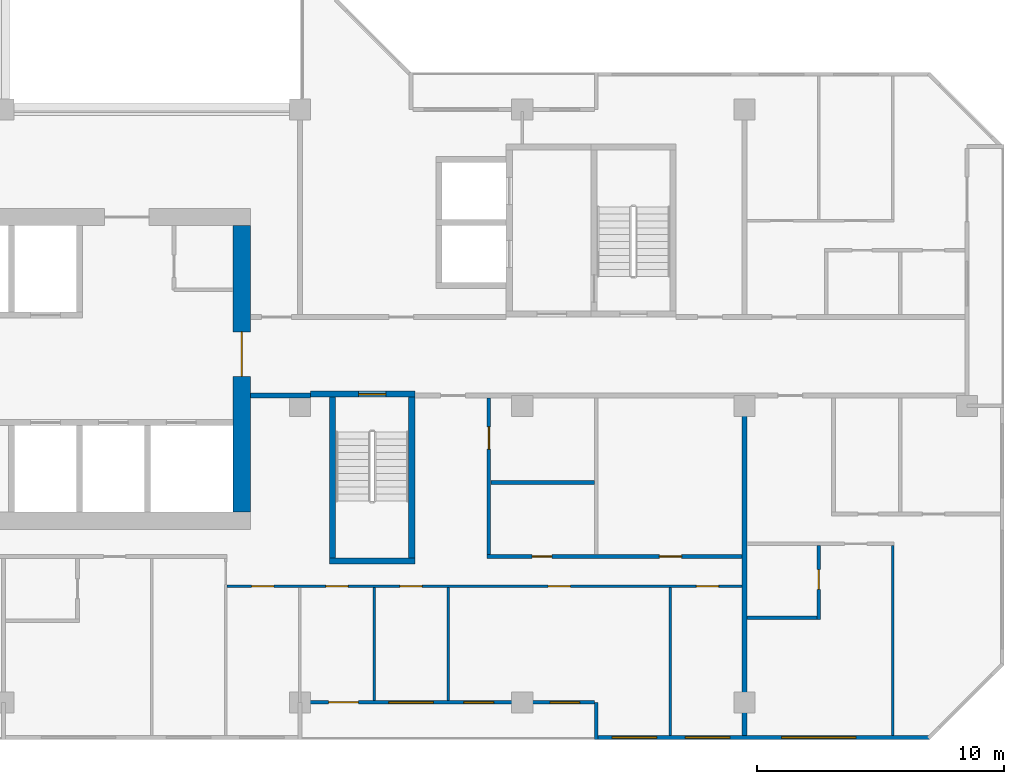
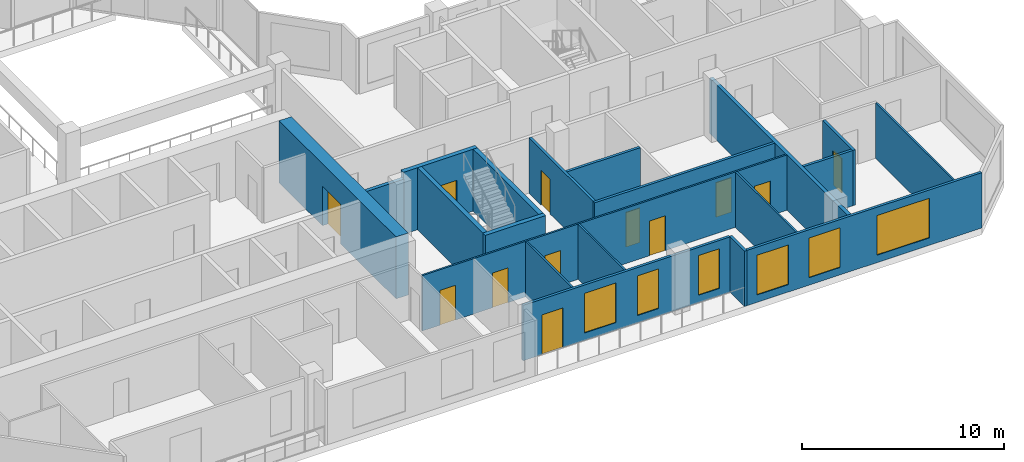
# One storey, part 6 of 14: 20 walls, 12 doors, 6 windows, 18 openings.
"""IFC4 building model written with IfcOpenShell, lengths in metres."""

from ifc_helpers import new_model, si_unit, direction, frame, frame_2d, origin, place, context, subcontext, project, spatial, rectangle, extrude, material, layer, layer_set, type_object, element, fill, save


model = new_model("IFC4")

# Units and contexts
model_context = context("Model", 3, precision=1e-05, world=origin(), true_north=direction((0.0, 1.0)))
body_context = subcontext(model_context, "Body", "Model", "MODEL_VIEW")
ifc_project = project(units=[si_unit("LENGTHUNIT", "METRE"), si_unit("AREAUNIT", "SQUARE_METRE"), si_unit("VOLUMEUNIT", "CUBIC_METRE"), si_unit("PLANEANGLEUNIT", "RADIAN"), si_unit("MASSUNIT", "GRAM", prefix="KILO")], contexts=[model_context])

# Site, building, storey
site_placement = place(None, origin())
site = spatial("IfcSite", under=ifc_project, at=site_placement, CompositionType="ELEMENT")
building_placement = place(site_placement, origin())
building = spatial("IfcBuilding", under=site, at=building_placement, Name="Chenar Terraces", CompositionType="ELEMENT")
storey_placement = place(building_placement, frame((0.0, 0.0, 230.39990234375)))
storey = spatial("IfcBuildingStorey", under=building, at=storey_placement, Name="L54", CompositionType="ELEMENT", Elevation=230.39990234375)

# Wall
ifc_material_1 = material(Name="Concrete C60/75", Category="concrete")
ifc_layer_1 = layer(ifc_material_1, 0.25)
ifc_layer_set_1 = layer_set([ifc_layer_1], Name="Concrete C60/75")
wall_type_1 = type_object("IfcWallType", Name="Core wall 250 Concrete C60/75", PredefinedType="SHEAR", material=ifc_layer_set_1)
wall_1_placement = place(storey_placement, frame((37.199951171875, 5.72509765625, 0.0), z_axis=(0.0, 0.0, 1.0), x_axis=(1.0, 0.0, 0.0)))
element("IfcWall", 1, at=wall_1_placement, inside=storey, type_object=wall_type_1, Name="Core wall ST2_S L54", PredefinedType="SHEAR", context=body_context, shape_type="SweptSolid", body=[
    extrude(rectangle(XDim=3.449951171875, YDim=0.25, at=frame_2d((1.72509765625, 0.0))), origin(), (0.0, 0.0, 1.0), 3.75),
])

# Wall, opening, door
wall_2_placement = place(storey_placement, frame((36.425048828125, 12.47509765625, 0.0), z_axis=(0.0, 0.0, 1.0), x_axis=(1.0, 0.0, 0.0)))
wall_2 = element("IfcWall", 2, at=wall_2_placement, inside=storey, type_object=wall_type_1, Name="Core wall ST2_N L54", PredefinedType="SHEAR", context=body_context, shape_type="SweptSolid", body=[
    extrude(rectangle(XDim=4.224853515625, YDim=0.25, at=frame_2d((2.1123046875, 0.0))), origin(), (0.0, 0.0, 1.0), 3.75),
])
opening_1_placement = place(wall_2_placement, frame((1.949951171875, 0.0, 0.0)))
opening_1 = element("IfcOpeningElement", 3, at=opening_1_placement, cuts=wall_2, Name="Opening DL54-C7", PredefinedType="OPENING", context=body_context, shape_type="SweptSolid", body=[
    extrude(rectangle(XDim=1.10009765625, YDim=2.199951171875, at=frame_2d((0.550048828125, 1.10009765625))), frame((0.0, 0.135009765625, 0.0), z_axis=(0.0, -1.0, 0.0), x_axis=(1.0, 0.0, 0.0)), (0.0, 0.0, 1.0), 0.27001953125),
])
ifc_material_2 = material(Name="Steel-framed fire-resisting door leaf", Category="steel")
door_type_1 = type_object("IfcDoorType", Name="Stair fire door FD60 1100 x 2200", OperationType="SINGLE_SWING_LEFT", PredefinedType="DOOR", material=ifc_material_2)
door_1_placement = place(opening_1_placement, frame((1.10009765625, 0.0, 0.0), z_axis=(0.0, 0.0, 1.0), x_axis=(-1.0, 0.0, 0.0)))
door_1 = element("IfcDoor", 4, at=door_1_placement, inside=storey, type_object=door_type_1, Name="Stair door DL54-C7", OperationType="SINGLE_SWING_LEFT", OverallHeight=2.199951171875, OverallWidth=1.10009765625, PredefinedType="DOOR", context=body_context, shape_type="SweptSolid", body=[
    extrude(rectangle(XDim=1.10009765625, YDim=2.199951171875, at=frame_2d((0.550048828125, 1.10009765625))), frame((0.0, 0.02490234375, 0.0), z_axis=(0.0, -1.0, 0.0), x_axis=(1.0, 0.0, 0.0)), (0.0, 0.0, 1.0), 0.050048828125),
])
fill(opening_1, door_1)

# Walls
for number, where, z_axis, x_axis, name in (
    (5, (37.324951171875, 5.85009765625, 0.0), (0.0, 0.0, 1.0), (0.0, 1.0, 0.0), "Core wall ST2_W L54"),
    (6, (40.52490234375, 5.85009765625, 0.0), (0.0, 0.0, 1.0), (0.0, 1.0, 0.0), "Core wall ST2_E L54"),
):
    element("IfcWall", number, at=place(storey_placement, frame(where, z_axis=z_axis, x_axis=x_axis)), inside=storey, type_object=wall_type_1, Name=name, PredefinedType="SHEAR", context=body_context, shape_type="SweptSolid", body=[
        extrude(rectangle(XDim=6.5, YDim=0.25, at=frame_2d((3.25, 0.0))), origin(), (0.0, 0.0, 1.0), 3.75),
    ])

# Wall, opening, door
ifc_material_3 = material(Name="Concrete C60/75", Category="concrete")
ifc_layer_2 = layer(ifc_material_3, 0.699951171875)
ifc_layer_set_2 = layer_set([ifc_layer_2], Name="Concrete C60/75")
wall_type_2 = type_object("IfcWallType", Name="Core wall 700 Concrete C60/75", PredefinedType="SHEAR", material=ifc_layer_set_2)
wall_3_placement = place(storey_placement, frame((33.64990234375, 7.699951171875, 0.0), z_axis=(0.0, 0.0, 1.0), x_axis=(0.0, 1.0, 0.0)))
wall_3 = element("IfcWall", 7, at=wall_3_placement, inside=storey, type_object=wall_type_2, Name="Core wall E L54", PredefinedType="SHEAR", context=body_context, shape_type="SweptSolid", body=[
    extrude(rectangle(XDim=11.60009765625, YDim=0.699951171875, at=frame_2d((5.800048828125, 0.0))), origin(), (0.0, 0.0, 1.0), 3.75),
])
opening_2_placement = place(wall_3_placement, frame((5.5, 0.0, 0.0)))
opening_2 = element("IfcOpeningElement", 8, at=opening_2_placement, cuts=wall_3, Name="Opening DL54-C1", PredefinedType="OPENING", context=body_context, shape_type="SweptSolid", body=[
    extrude(rectangle(XDim=1.800048828125, YDim=2.39990234375, at=frame_2d((0.89990234375, 1.199951171875))), frame((0.0, 0.35986328125, 0.0), z_axis=(0.0, -1.0, 0.0), x_axis=(1.0, 0.0, 0.0)), (0.0, 0.0, 1.0), 0.719970703125),
])
ifc_material_4 = material(Name="Steel-framed fire-resisting door leaf", Category="steel")
door_type_2 = type_object("IfcDoorType", Name="Core entrance double fire door FD60 1800 x 2400", OperationType="DOUBLE_DOOR_SINGLE_SWING", PredefinedType="DOOR", material=ifc_material_4)
door_2_placement = place(opening_2_placement, origin())
door_2 = element("IfcDoor", 9, at=door_2_placement, inside=storey, type_object=door_type_2, Name="Core door DL54-C1", OperationType="DOUBLE_DOOR_SINGLE_SWING", OverallHeight=2.39990234375, OverallWidth=1.800048828125, PredefinedType="DOOR", context=body_context, shape_type="SweptSolid", body=[
    extrude(rectangle(XDim=1.800048828125, YDim=2.39990234375, at=frame_2d((0.89990234375, 1.199951171875))), frame((0.0, 0.02490234375, 0.0), z_axis=(0.0, -1.0, 0.0), x_axis=(1.0, 0.0, 0.0)), (0.0, 0.0, 1.0), 0.050048828125),
])
fill(opening_2, door_2)

# Wall
ifc_material_5 = material(Name="Gypsum board on steel studs with fire boards", Category="steel")
ifc_layer_3 = layer(ifc_material_5, 0.199951171875)
ifc_layer_set_3 = layer_set([ifc_layer_3], Name="Gypsum board on steel studs with fire boards")
wall_type_3 = type_object("IfcWallType", Name="Corridor wall 200", PredefinedType="PARTITIONING", material=ifc_layer_set_3)
wall_4_placement = place(storey_placement, frame((34.0, 12.425048828125, 0.0), z_axis=(0.0, 0.0, 1.0), x_axis=(1.0, 0.0, 0.0)))
element("IfcWall", 10, at=wall_4_placement, inside=storey, type_object=wall_type_3, Name="Partition L54-058", PredefinedType="PARTITIONING", context=body_context, shape_type="SweptSolid", body=[
    extrude(rectangle(XDim=2.426025390625, YDim=0.199951171875, at=frame_2d((1.212890625, 0.0))), origin(), (0.0, 0.0, 1.0), 3.35009765625),
])

# Wall, openings, windows
ifc_material_6 = material(Name="Aluminium framed glazing", Category="aluminium")
ifc_layer_4 = layer(ifc_material_6, 0.14990234375)
ifc_layer_set_4 = layer_set([ifc_layer_4], Name="Aluminium framed glazing")
wall_type_4 = type_object("IfcWallType", Name="Glazed flush facade wall 150", PredefinedType="SOLIDWALL", material=ifc_layer_set_4)
wall_5_placement = place(storey_placement, frame((48.074951171875, -1.425048828125, 0.0), z_axis=(0.0, 0.0, 1.0), x_axis=(1.0, 0.0, 0.0)))
wall_5 = element("IfcWall", 11, at=wall_5_placement, inside=storey, type_object=wall_type_4, Name="Glazed flush facade wall", PredefinedType="SOLIDWALL", context=body_context, shape_type="SweptSolid", body=[
    extrude(rectangle(XDim=13.425048828125, YDim=0.14990234375, at=frame_2d((6.71240234375, 0.0))), origin(), (0.0, 0.0, 1.0), 3.35009765625),
])
opening_3_placement = place(wall_5_placement, frame((0.5625, 0.0, 0.449951171875)))
opening_3 = element("IfcOpeningElement", 12, at=opening_3_placement, cuts=wall_5, Name="Opening W180x240", PredefinedType="OPENING", context=body_context, shape_type="SweptSolid", body=[
    extrude(rectangle(XDim=1.800048828125, YDim=2.39990234375, at=frame_2d((0.89990234375, 1.199951171875))), frame((0.0, 0.0849609375, 0.0), z_axis=(0.0, -1.0, 0.0), x_axis=(1.0, 0.0, 0.0)), (0.0, 0.0, 1.0), 0.169921875),
])
opening_4_placement = place(wall_5_placement, frame((3.52490234375, 0.0, 0.449951171875)))
opening_4 = element("IfcOpeningElement", 13, at=opening_4_placement, cuts=wall_5, Name="Opening W180x240", PredefinedType="OPENING", context=body_context, shape_type="SweptSolid", body=[
    extrude(rectangle(XDim=1.800048828125, YDim=2.39990234375, at=frame_2d((0.89990234375, 1.199951171875))), frame((0.0, 0.0849609375, 0.0), z_axis=(0.0, -1.0, 0.0), x_axis=(1.0, 0.0, 0.0)), (0.0, 0.0, 1.0), 0.169921875),
])
opening_5_placement = place(wall_5_placement, frame((7.425048828125, 0.0, 0.449951171875)))
opening_5 = element("IfcOpeningElement", 14, at=opening_5_placement, cuts=wall_5, Name="Opening W300x240", PredefinedType="OPENING", context=body_context, shape_type="SweptSolid", body=[
    extrude(rectangle(XDim=3.0, YDim=2.39990234375, at=frame_2d((1.5, 1.199951171875))), frame((0.0, 0.0849609375, 0.0), z_axis=(0.0, -1.0, 0.0), x_axis=(1.0, 0.0, 0.0)), (0.0, 0.0, 1.0), 0.169921875),
])
ifc_material_7 = material(Name="Low emissivity double glazing, aluminium frame", Category="aluminium")
window_type_1 = type_object("IfcWindowType", Name="Fixed light 1800 x 2400", PartitioningType="SINGLE_PANEL", PredefinedType="WINDOW", material=ifc_material_7)
window_1_placement = place(opening_3_placement, origin())
window_1 = element("IfcWindow", 15, at=window_1_placement, inside=storey, type_object=window_type_1, Name="Window", OverallHeight=2.39990234375, OverallWidth=1.800048828125, PartitioningType="SINGLE_PANEL", PredefinedType="WINDOW", context=body_context, shape_type="SweptSolid", body=[
    extrude(rectangle(XDim=1.800048828125, YDim=2.39990234375, at=frame_2d((0.89990234375, 1.199951171875))), frame((0.0, 0.030029296875, 0.0), z_axis=(0.0, -1.0, 0.0), x_axis=(1.0, 0.0, 0.0)), (0.0, 0.0, 1.0), 0.06005859375),
])
fill(opening_3, window_1)
window_2_placement = place(opening_4_placement, origin())
window_2 = element("IfcWindow", 16, at=window_2_placement, inside=storey, type_object=window_type_1, Name="Window", OverallHeight=2.39990234375, OverallWidth=1.800048828125, PartitioningType="SINGLE_PANEL", PredefinedType="WINDOW", context=body_context, shape_type="SweptSolid", body=[
    extrude(rectangle(XDim=1.800048828125, YDim=2.39990234375, at=frame_2d((0.89990234375, 1.199951171875))), frame((0.0, 0.030029296875, 0.0), z_axis=(0.0, -1.0, 0.0), x_axis=(1.0, 0.0, 0.0)), (0.0, 0.0, 1.0), 0.06005859375),
])
fill(opening_4, window_2)
ifc_material_8 = material(Name="Low emissivity double glazing, aluminium frame", Category="aluminium")
window_type_2 = type_object("IfcWindowType", Name="Fixed light 3000 x 2400", PartitioningType="SINGLE_PANEL", PredefinedType="WINDOW", material=ifc_material_8)
window_3_placement = place(opening_5_placement, origin())
window_3 = element("IfcWindow", 17, at=window_3_placement, inside=storey, type_object=window_type_2, Name="Window", OverallHeight=2.39990234375, OverallWidth=3.0, PartitioningType="SINGLE_PANEL", PredefinedType="WINDOW", context=body_context, shape_type="SweptSolid", body=[
    extrude(rectangle(XDim=3.0, YDim=2.39990234375, at=frame_2d((1.5, 1.199951171875))), frame((0.0, 0.030029296875, 0.0), z_axis=(0.0, -1.0, 0.0), x_axis=(1.0, 0.0, 0.0)), (0.0, 0.0, 1.0), 0.06005859375),
])
fill(opening_5, window_3)

# Wall, openings, windows, door
ifc_material_9 = material(Name="Aluminium framed glazing", Category="aluminium")
ifc_layer_5 = layer(ifc_material_9, 0.14990234375)
ifc_layer_set_5 = layer_set([ifc_layer_5], Name="Aluminium framed glazing")
wall_type_5 = type_object("IfcWallType", Name="Glazed loggia back wall 150", PredefinedType="SOLIDWALL", material=ifc_layer_set_5)
wall_6_placement = place(storey_placement, frame((36.074951171875, 0.0, 0.0), z_axis=(0.0, 0.0, 1.0), x_axis=(1.0, 0.0, 0.0)))
wall_6 = element("IfcWall", 18, at=wall_6_placement, inside=storey, type_object=wall_type_5, Name="Glazed loggia back wall", PredefinedType="SOLIDWALL", context=body_context, shape_type="SweptSolid", body=[
    extrude(rectangle(XDim=11.85009765625, YDim=0.14990234375, at=frame_2d((5.925048828125, 0.0))), origin(), (0.0, 0.0, 1.0), 3.35009765625),
])
opening_6_placement = place(wall_6_placement, frame((1.08740234375, 0.0, 0.0)))
opening_6 = element("IfcOpeningElement", 19, at=opening_6_placement, cuts=wall_6, Name="Opening DL54-G6", PredefinedType="OPENING", context=body_context, shape_type="SweptSolid", body=[
    extrude(rectangle(XDim=1.199951171875, YDim=2.39990234375, at=frame_2d((0.60009765625, 1.199951171875))), frame((0.0, 0.0849609375, 0.0), z_axis=(0.0, -1.0, 0.0), x_axis=(1.0, 0.0, 0.0)), (0.0, 0.0, 1.0), 0.169921875),
])
opening_7_placement = place(wall_6_placement, frame((3.52490234375, 0.0, 0.449951171875)))
opening_7 = element("IfcOpeningElement", 20, at=opening_7_placement, cuts=wall_6, Name="Opening W180x240", PredefinedType="OPENING", context=body_context, shape_type="SweptSolid", body=[
    extrude(rectangle(XDim=1.800048828125, YDim=2.39990234375, at=frame_2d((0.89990234375, 1.199951171875))), frame((0.0, 0.0849609375, 0.0), z_axis=(0.0, -1.0, 0.0), x_axis=(1.0, 0.0, 0.0)), (0.0, 0.0, 1.0), 0.169921875),
])
opening_8_placement = place(wall_6_placement, frame((6.5625, 0.0, 0.449951171875)))
opening_8 = element("IfcOpeningElement", 21, at=opening_8_placement, cuts=wall_6, Name="Opening W120x240", PredefinedType="OPENING", context=body_context, shape_type="SweptSolid", body=[
    extrude(rectangle(XDim=1.199951171875, YDim=2.39990234375, at=frame_2d((0.60009765625, 1.199951171875))), frame((0.0, 0.0849609375, 0.0), z_axis=(0.0, -1.0, 0.0), x_axis=(1.0, 0.0, 0.0)), (0.0, 0.0, 1.0), 0.169921875),
])
opening_9_placement = place(wall_6_placement, frame((10.050048828125, 0.0, 0.449951171875)))
opening_9 = element("IfcOpeningElement", 22, at=opening_9_placement, cuts=wall_6, Name="Opening W120x240", PredefinedType="OPENING", context=body_context, shape_type="SweptSolid", body=[
    extrude(rectangle(XDim=1.199951171875, YDim=2.39990234375, at=frame_2d((0.60009765625, 1.199951171875))), frame((0.0, 0.0849609375, 0.0), z_axis=(0.0, -1.0, 0.0), x_axis=(1.0, 0.0, 0.0)), (0.0, 0.0, 1.0), 0.169921875),
])
ifc_material_10 = material(Name="Low emissivity double glazing, aluminium frame", Category="aluminium")
window_type_3 = type_object("IfcWindowType", Name="Fixed light 1200 x 2400", PartitioningType="SINGLE_PANEL", PredefinedType="WINDOW", material=ifc_material_10)
window_4_placement = place(opening_8_placement, origin())
window_4 = element("IfcWindow", 23, at=window_4_placement, inside=storey, type_object=window_type_3, Name="Window", OverallHeight=2.39990234375, OverallWidth=1.199951171875, PartitioningType="SINGLE_PANEL", PredefinedType="WINDOW", context=body_context, shape_type="SweptSolid", body=[
    extrude(rectangle(XDim=1.199951171875, YDim=2.39990234375, at=frame_2d((0.60009765625, 1.199951171875))), frame((0.0, 0.030029296875, 0.0), z_axis=(0.0, -1.0, 0.0), x_axis=(1.0, 0.0, 0.0)), (0.0, 0.0, 1.0), 0.06005859375),
])
fill(opening_8, window_4)
window_5_placement = place(opening_9_placement, origin())
window_5 = element("IfcWindow", 24, at=window_5_placement, inside=storey, type_object=window_type_3, Name="Window", OverallHeight=2.39990234375, OverallWidth=1.199951171875, PartitioningType="SINGLE_PANEL", PredefinedType="WINDOW", context=body_context, shape_type="SweptSolid", body=[
    extrude(rectangle(XDim=1.199951171875, YDim=2.39990234375, at=frame_2d((0.60009765625, 1.199951171875))), frame((0.0, 0.030029296875, 0.0), z_axis=(0.0, -1.0, 0.0), x_axis=(1.0, 0.0, 0.0)), (0.0, 0.0, 1.0), 0.06005859375),
])
fill(opening_9, window_5)
window_6_placement = place(opening_7_placement, origin())
window_6 = element("IfcWindow", 25, at=window_6_placement, inside=storey, type_object=window_type_1, Name="Window", OverallHeight=2.39990234375, OverallWidth=1.800048828125, PartitioningType="SINGLE_PANEL", PredefinedType="WINDOW", context=body_context, shape_type="SweptSolid", body=[
    extrude(rectangle(XDim=1.800048828125, YDim=2.39990234375, at=frame_2d((0.89990234375, 1.199951171875))), frame((0.0, 0.030029296875, 0.0), z_axis=(0.0, -1.0, 0.0), x_axis=(1.0, 0.0, 0.0)), (0.0, 0.0, 1.0), 0.06005859375),
])
fill(opening_7, window_6)
ifc_material_11 = material(Name="Low emissivity double glazing, aluminium frame", Category="aluminium")
door_type_3 = type_object("IfcDoorType", Name="Loggia glazed double door 1200 x 2400", OperationType="DOUBLE_DOOR_SINGLE_SWING", PredefinedType="DOOR", material=ifc_material_11)
door_3_placement = place(opening_6_placement, frame((1.199951171875, 0.0, 0.0), z_axis=(0.0, 0.0, 1.0), x_axis=(-1.0, 0.0, 0.0)))
door_3 = element("IfcDoor", 26, at=door_3_placement, inside=storey, type_object=door_type_3, Name="Loggia glazed door", OperationType="DOUBLE_DOOR_SINGLE_SWING", OverallHeight=2.39990234375, OverallWidth=1.199951171875, PredefinedType="DOOR", context=body_context, shape_type="SweptSolid", body=[
    extrude(rectangle(XDim=1.199951171875, YDim=2.39990234375, at=frame_2d((0.60009765625, 1.199951171875))), frame((0.0, 0.02490234375, 0.0), z_axis=(0.0, -1.0, 0.0), x_axis=(1.0, 0.0, 0.0)), (0.0, 0.0, 1.0), 0.050048828125),
])
fill(opening_6, door_3)

# Wall, openings, doors
ifc_material_12 = material(Name="Gypsum board on steel studs", Category="steel")
ifc_layer_6 = layer(ifc_material_12, 0.10009765625)
ifc_layer_set_6 = layer_set([ifc_layer_6], Name="Gypsum board on steel studs")
wall_type_6 = type_object("IfcWallType", Name="Gypsum partition 100", PredefinedType="PARTITIONING", material=ifc_layer_set_6)
wall_7_placement = place(storey_placement, frame((33.050048828125, 4.699951171875, 0.0), z_axis=(0.0, 0.0, 1.0), x_axis=(1.0, 0.0, 0.0)))
wall_7 = element("IfcWall", 27, at=wall_7_placement, inside=storey, type_object=wall_type_6, Name="Partition L54-057", PredefinedType="PARTITIONING", context=body_context, shape_type="SweptSolid", body=[
    extrude(rectangle(XDim=20.849853515625, YDim=0.10009765625, at=frame_2d((10.4248046875, 0.0))), origin(), (0.0, 0.0, 1.0), 3.35009765625),
])
opening_10_placement = place(wall_7_placement, frame((1.0, 0.0, 0.0)))
opening_10 = element("IfcOpeningElement", 28, at=opening_10_placement, cuts=wall_7, Name="Opening DL54-47", PredefinedType="OPENING", context=body_context, shape_type="SweptSolid", body=[
    extrude(rectangle(XDim=0.89990234375, YDim=2.10009765625, at=frame_2d((0.449951171875, 1.050048828125))), frame((0.0, 0.06005859375, 0.0), z_axis=(0.0, -1.0, 0.0), x_axis=(1.0, 0.0, 0.0)), (0.0, 0.0, 1.0), 0.1201171875),
])
opening_11_placement = place(wall_7_placement, frame((4.0, 0.0, 0.0)))
opening_11 = element("IfcOpeningElement", 29, at=opening_11_placement, cuts=wall_7, Name="Opening DL54-48", PredefinedType="OPENING", context=body_context, shape_type="SweptSolid", body=[
    extrude(rectangle(XDim=0.89990234375, YDim=2.10009765625, at=frame_2d((0.449951171875, 1.050048828125))), frame((0.0, 0.06005859375, 0.0), z_axis=(0.0, -1.0, 0.0), x_axis=(1.0, 0.0, 0.0)), (0.0, 0.0, 1.0), 0.1201171875),
])
opening_12_placement = place(wall_7_placement, frame((7.0, 0.0, 0.0)))
opening_12 = element("IfcOpeningElement", 30, at=opening_12_placement, cuts=wall_7, Name="Opening DL54-49", PredefinedType="OPENING", context=body_context, shape_type="SweptSolid", body=[
    extrude(rectangle(XDim=0.89990234375, YDim=2.10009765625, at=frame_2d((0.449951171875, 1.050048828125))), frame((0.0, 0.06005859375, 0.0), z_axis=(0.0, -1.0, 0.0), x_axis=(1.0, 0.0, 0.0)), (0.0, 0.0, 1.0), 0.1201171875),
])
opening_13_placement = place(wall_7_placement, frame((19.0, 0.0, 0.0)))
opening_13 = element("IfcOpeningElement", 31, at=opening_13_placement, cuts=wall_7, Name="Opening DL54-50", PredefinedType="OPENING", context=body_context, shape_type="SweptSolid", body=[
    extrude(rectangle(XDim=0.89990234375, YDim=2.10009765625, at=frame_2d((0.449951171875, 1.050048828125))), frame((0.0, 0.06005859375, 0.0), z_axis=(0.0, -1.0, 0.0), x_axis=(1.0, 0.0, 0.0)), (0.0, 0.0, 1.0), 0.1201171875),
])
opening_14_placement = place(wall_7_placement, frame((13.0, 0.0, 0.0)))
opening_14 = element("IfcOpeningElement", 32, at=opening_14_placement, cuts=wall_7, Name="Opening DL54-59", PredefinedType="OPENING", context=body_context, shape_type="SweptSolid", body=[
    extrude(rectangle(XDim=0.89990234375, YDim=2.10009765625, at=frame_2d((0.449951171875, 1.050048828125))), frame((0.0, 0.06005859375, 0.0), z_axis=(0.0, -1.0, 0.0), x_axis=(1.0, 0.0, 0.0)), (0.0, 0.0, 1.0), 0.1201171875),
])
ifc_material_13 = material(Name="Veneered timber door leaf", Category="wood")
door_type_4 = type_object("IfcDoorType", Name="Door 900 x 2100", OperationType="SINGLE_SWING_LEFT", PredefinedType="DOOR", material=ifc_material_13)
door_4_placement = place(opening_10_placement, frame((0.89990234375, 0.0, 0.0), z_axis=(0.0, 0.0, 1.0), x_axis=(-1.0, 0.0, 0.0)))
door_4 = element("IfcDoor", 33, at=door_4_placement, inside=storey, type_object=door_type_4, Name="Door DL54-47", OperationType="SINGLE_SWING_LEFT", OverallHeight=2.10009765625, OverallWidth=0.89990234375, PredefinedType="DOOR", context=body_context, shape_type="SweptSolid", body=[
    extrude(rectangle(XDim=0.89990234375, YDim=2.10009765625, at=frame_2d((0.449951171875, 1.050048828125))), frame((0.0, 0.02490234375, 0.0), z_axis=(0.0, -1.0, 0.0), x_axis=(1.0, 0.0, 0.0)), (0.0, 0.0, 1.0), 0.050048828125),
])
fill(opening_10, door_4)
door_5_placement = place(opening_11_placement, frame((0.89990234375, 0.0, 0.0), z_axis=(0.0, 0.0, 1.0), x_axis=(-1.0, 0.0, 0.0)))
door_5 = element("IfcDoor", 34, at=door_5_placement, inside=storey, type_object=door_type_4, Name="Door DL54-48", OperationType="SINGLE_SWING_LEFT", OverallHeight=2.10009765625, OverallWidth=0.89990234375, PredefinedType="DOOR", context=body_context, shape_type="SweptSolid", body=[
    extrude(rectangle(XDim=0.89990234375, YDim=2.10009765625, at=frame_2d((0.449951171875, 1.050048828125))), frame((0.0, 0.02490234375, 0.0), z_axis=(0.0, -1.0, 0.0), x_axis=(1.0, 0.0, 0.0)), (0.0, 0.0, 1.0), 0.050048828125),
])
fill(opening_11, door_5)
door_6_placement = place(opening_12_placement, frame((0.89990234375, 0.0, 0.0), z_axis=(0.0, 0.0, 1.0), x_axis=(-1.0, 0.0, 0.0)))
door_6 = element("IfcDoor", 35, at=door_6_placement, inside=storey, type_object=door_type_4, Name="Door DL54-49", OperationType="SINGLE_SWING_LEFT", OverallHeight=2.10009765625, OverallWidth=0.89990234375, PredefinedType="DOOR", context=body_context, shape_type="SweptSolid", body=[
    extrude(rectangle(XDim=0.89990234375, YDim=2.10009765625, at=frame_2d((0.449951171875, 1.050048828125))), frame((0.0, 0.02490234375, 0.0), z_axis=(0.0, -1.0, 0.0), x_axis=(1.0, 0.0, 0.0)), (0.0, 0.0, 1.0), 0.050048828125),
])
fill(opening_12, door_6)
door_7_placement = place(opening_13_placement, frame((0.89990234375, 0.0, 0.0), z_axis=(0.0, 0.0, 1.0), x_axis=(-1.0, 0.0, 0.0)))
door_7 = element("IfcDoor", 36, at=door_7_placement, inside=storey, type_object=door_type_4, Name="Door DL54-50", OperationType="SINGLE_SWING_LEFT", OverallHeight=2.10009765625, OverallWidth=0.89990234375, PredefinedType="DOOR", context=body_context, shape_type="SweptSolid", body=[
    extrude(rectangle(XDim=0.89990234375, YDim=2.10009765625, at=frame_2d((0.449951171875, 1.050048828125))), frame((0.0, 0.02490234375, 0.0), z_axis=(0.0, -1.0, 0.0), x_axis=(1.0, 0.0, 0.0)), (0.0, 0.0, 1.0), 0.050048828125),
])
fill(opening_13, door_7)
door_8_placement = place(opening_14_placement, frame((0.89990234375, 0.0, 0.0), z_axis=(0.0, 0.0, 1.0), x_axis=(-1.0, 0.0, 0.0)))
door_8 = element("IfcDoor", 37, at=door_8_placement, inside=storey, type_object=door_type_4, Name="Door DL54-59", OperationType="SINGLE_SWING_LEFT", OverallHeight=2.10009765625, OverallWidth=0.89990234375, PredefinedType="DOOR", context=body_context, shape_type="SweptSolid", body=[
    extrude(rectangle(XDim=0.89990234375, YDim=2.10009765625, at=frame_2d((0.449951171875, 1.050048828125))), frame((0.0, 0.02490234375, 0.0), z_axis=(0.0, -1.0, 0.0), x_axis=(1.0, 0.0, 0.0)), (0.0, 0.0, 1.0), 0.050048828125),
])
fill(opening_14, door_8)

# Walls
for number, where, z_axis, x_axis, name in (
    (38, (39.0, 0.073974609375, 0.0), (0.0, 0.0, 1.0), (0.0, 1.0, 0.0), "Partition L54-062"),
    (39, (42.0, 0.073974609375, 0.0), (0.0, 0.0, 1.0), (0.0, 1.0, 0.0), "Partition L54-064"),
):
    element("IfcWall", number, at=place(storey_placement, frame(where, z_axis=z_axis, x_axis=x_axis)), inside=storey, type_object=wall_type_6, Name=name, PredefinedType="PARTITIONING", context=body_context, shape_type="SweptSolid", body=[
        extrude(rectangle(XDim=4.575927734375, YDim=0.10009765625, at=frame_2d((2.2880859375, 0.0))), origin(), (0.0, 0.0, 1.0), 3.35009765625),
    ])
wall_8_placement = place(storey_placement, frame((51.0, -1.35009765625, 0.0), z_axis=(0.0, 0.0, 1.0), x_axis=(0.0, 1.0, 0.0)))
element("IfcWall", 40, at=wall_8_placement, inside=storey, type_object=wall_type_6, Name="Partition L54-070", PredefinedType="PARTITIONING", context=body_context, shape_type="SweptSolid", body=[
    extrude(rectangle(XDim=6.0, YDim=0.10009765625, at=frame_2d((3.0, 0.0))), origin(), (0.0, 0.0, 1.0), 3.35009765625),
])
wall_9_placement = place(storey_placement, frame((60.0, -1.35009765625, 0.0), z_axis=(0.0, 0.0, 1.0), x_axis=(0.0, 1.0, 0.0)))
element("IfcWall", 41, at=wall_9_placement, inside=storey, type_object=wall_type_6, Name="Partition L54-083", PredefinedType="PARTITIONING", context=body_context, shape_type="SweptSolid", body=[
    extrude(rectangle(XDim=7.7001953125, YDim=0.10009765625, at=frame_2d((3.85009765625, 0.0))), origin(), (0.0, 0.0, 1.0), 3.35009765625),
])
ifc_material_14 = material(Name="Terracotta cladding on insulated backing", Category="masonry")
ifc_layer_7 = layer(ifc_material_14, 0.14990234375)
ifc_layer_set_7 = layer_set([ifc_layer_7], Name="Terracotta cladding on insulated backing")
wall_type_7 = type_object("IfcWallType", Name="Loggia return wall 150", PredefinedType="SOLIDWALL", material=ifc_layer_set_7)
wall_10_placement = place(storey_placement, frame((48.0, -1.5, 0.0), z_axis=(0.0, 0.0, 1.0), x_axis=(0.0, 1.0, 0.0)))
element("IfcWall", 42, at=wall_10_placement, inside=storey, type_object=wall_type_7, Name="Loggia return wall", PredefinedType="SOLIDWALL", context=body_context, shape_type="SweptSolid", body=[
    extrude(rectangle(XDim=1.5, YDim=0.14990234375, at=frame_2d((0.75, 0.0))), origin(), (0.0, 0.0, 1.0), 3.35009765625),
])
ifc_material_15 = material(Name="Twin gypsum board on steel studs with mineral wool", Category="steel")
ifc_layer_8 = layer(ifc_material_15, 0.199951171875)
ifc_layer_set_8 = layer_set([ifc_layer_8], Name="Twin gypsum board on steel studs with mineral wool")
wall_type_8 = type_object("IfcWallType", Name="Unit demising wall 200", PredefinedType="PARTITIONING", material=ifc_layer_set_8)
wall_11_placement = place(storey_placement, frame((54.0, -1.35107421875, 0.0), z_axis=(0.0, 0.0, 1.0), x_axis=(0.0, 1.0, 0.0)))
element("IfcWall", 43, at=wall_11_placement, inside=storey, type_object=wall_type_8, Name="Partition L54-072", PredefinedType="PARTITIONING", context=body_context, shape_type="SweptSolid", body=[
    extrude(rectangle(XDim=13.676025390625, YDim=0.199951171875, at=frame_2d((6.837890625, 0.0))), origin(), (0.0, 0.0, 1.0), 3.35009765625),
])

# Wall, openings, doors
ifc_material_16 = material(Name="Moisture-resistant gypsum board on steel studs", Category="steel")
ifc_layer_9 = layer(ifc_material_16, 0.14990234375)
ifc_layer_set_9 = layer_set([ifc_layer_9], Name="Moisture-resistant gypsum board on steel studs")
wall_type_9 = type_object("IfcWallType", Name="Wet-room partition 150", PredefinedType="PARTITIONING", material=ifc_layer_set_9)
wall_12_placement = place(storey_placement, frame((43.574951171875, 5.89990234375, 0.0), z_axis=(0.0, 0.0, 1.0), x_axis=(1.0, 0.0, 0.0)))
wall_12 = element("IfcWall", 44, at=wall_12_placement, inside=storey, type_object=wall_type_9, Name="Partition L54-065", PredefinedType="PARTITIONING", context=body_context, shape_type="SweptSolid", body=[
    extrude(rectangle(XDim=10.324951171875, YDim=0.14990234375, at=frame_2d((5.16259765625, 0.0))), origin(), (0.0, 0.0, 1.0), 3.35009765625),
])
opening_15_placement = place(wall_12_placement, frame((1.824951171875, 0.0, 0.0)))
opening_15 = element("IfcOpeningElement", 45, at=opening_15_placement, cuts=wall_12, Name="Opening DL54-44", PredefinedType="OPENING", context=body_context, shape_type="SweptSolid", body=[
    extrude(rectangle(XDim=0.800048828125, YDim=2.10009765625, at=frame_2d((0.39990234375, 1.050048828125))), frame((0.0, 0.0849609375, 0.0), z_axis=(0.0, -1.0, 0.0), x_axis=(1.0, 0.0, 0.0)), (0.0, 0.0, 1.0), 0.169921875),
])
opening_16_placement = place(wall_12_placement, frame((6.97509765625, 0.0, 0.0)))
opening_16 = element("IfcOpeningElement", 46, at=opening_16_placement, cuts=wall_12, Name="Opening DL54-54", PredefinedType="OPENING", context=body_context, shape_type="SweptSolid", body=[
    extrude(rectangle(XDim=0.89990234375, YDim=2.10009765625, at=frame_2d((0.449951171875, 1.050048828125))), frame((0.0, 0.0849609375, 0.0), z_axis=(0.0, -1.0, 0.0), x_axis=(1.0, 0.0, 0.0)), (0.0, 0.0, 1.0), 0.169921875),
])
ifc_material_17 = material(Name="Veneered timber door leaf", Category="wood")
door_type_5 = type_object("IfcDoorType", Name="Door 800 x 2100", OperationType="SINGLE_SWING_LEFT", PredefinedType="DOOR", material=ifc_material_17)
door_9_placement = place(opening_15_placement, origin())
door_9 = element("IfcDoor", 47, at=door_9_placement, inside=storey, type_object=door_type_5, Name="Door DL54-44", OperationType="SINGLE_SWING_RIGHT", OverallHeight=2.10009765625, OverallWidth=0.800048828125, PredefinedType="DOOR", context=body_context, shape_type="SweptSolid", body=[
    extrude(rectangle(XDim=0.800048828125, YDim=2.10009765625, at=frame_2d((0.39990234375, 1.050048828125))), frame((0.0, 0.02490234375, 0.0), z_axis=(0.0, -1.0, 0.0), x_axis=(1.0, 0.0, 0.0)), (0.0, 0.0, 1.0), 0.050048828125),
])
fill(opening_15, door_9)
door_10_placement = place(opening_16_placement, origin())
door_10 = element("IfcDoor", 48, at=door_10_placement, inside=storey, type_object=door_type_4, Name="Door DL54-54", OperationType="SINGLE_SWING_RIGHT", OverallHeight=2.10009765625, OverallWidth=0.89990234375, PredefinedType="DOOR", context=body_context, shape_type="SweptSolid", body=[
    extrude(rectangle(XDim=0.89990234375, YDim=2.10009765625, at=frame_2d((0.449951171875, 1.050048828125))), frame((0.0, 0.02490234375, 0.0), z_axis=(0.0, -1.0, 0.0), x_axis=(1.0, 0.0, 0.0)), (0.0, 0.0, 1.0), 0.050048828125),
])
fill(opening_16, door_10)

# Wall, opening, door
wall_13_placement = place(storey_placement, frame((43.64990234375, 5.97509765625, 0.0), z_axis=(0.0, 0.0, 1.0), x_axis=(0.0, 1.0, 0.0)))
wall_13 = element("IfcWall", 49, at=wall_13_placement, inside=storey, type_object=wall_type_9, Name="Partition L54-066", PredefinedType="PARTITIONING", context=body_context, shape_type="SweptSolid", body=[
    extrude(rectangle(XDim=6.349853515625, YDim=0.14990234375, at=frame_2d((3.1748046875, 0.0))), origin(), (0.0, 0.0, 1.0), 3.35009765625),
])
opening_17_placement = place(wall_13_placement, frame((4.27490234375, 0.0, 0.0)))
opening_17 = element("IfcOpeningElement", 50, at=opening_17_placement, cuts=wall_13, Name="Opening DL54-57", PredefinedType="OPENING", context=body_context, shape_type="SweptSolid", body=[
    extrude(rectangle(XDim=0.89990234375, YDim=2.10009765625, at=frame_2d((0.449951171875, 1.050048828125))), frame((0.0, 0.0849609375, 0.0), z_axis=(0.0, -1.0, 0.0), x_axis=(1.0, 0.0, 0.0)), (0.0, 0.0, 1.0), 0.169921875),
])
door_11_placement = place(opening_17_placement, frame((0.89990234375, 0.0, 0.0), z_axis=(0.0, 0.0, 1.0), x_axis=(-1.0, 0.0, 0.0)))
door_11 = element("IfcDoor", 51, at=door_11_placement, inside=storey, type_object=door_type_4, Name="Door DL54-57", OperationType="SINGLE_SWING_LEFT", OverallHeight=2.10009765625, OverallWidth=0.89990234375, PredefinedType="DOOR", context=body_context, shape_type="SweptSolid", body=[
    extrude(rectangle(XDim=0.89990234375, YDim=2.10009765625, at=frame_2d((0.449951171875, 1.050048828125))), frame((0.0, 0.02490234375, 0.0), z_axis=(0.0, -1.0, 0.0), x_axis=(1.0, 0.0, 0.0)), (0.0, 0.0, 1.0), 0.050048828125),
])
fill(opening_17, door_11)

# Walls
wall_14_placement = place(storey_placement, frame((43.72509765625, 8.89990234375, 0.0), z_axis=(0.0, 0.0, 1.0), x_axis=(1.0, 0.0, 0.0)))
element("IfcWall", 52, at=wall_14_placement, inside=storey, type_object=wall_type_9, Name="Partition L54-067", PredefinedType="PARTITIONING", context=body_context, shape_type="SweptSolid", body=[
    extrude(rectangle(XDim=4.199951171875, YDim=0.14990234375, at=frame_2d((2.10009765625, 0.0))), origin(), (0.0, 0.0, 1.0), 3.35009765625),
])
wall_15_placement = place(storey_placement, frame((54.10009765625, 3.425048828125, 0.0), z_axis=(0.0, 0.0, 1.0), x_axis=(1.0, 0.0, 0.0)))
element("IfcWall", 53, at=wall_15_placement, inside=storey, type_object=wall_type_9, Name="Partition L54-074", PredefinedType="PARTITIONING", context=body_context, shape_type="SweptSolid", body=[
    extrude(rectangle(XDim=2.824951171875, YDim=0.14990234375, at=frame_2d((1.41259765625, 0.0))), origin(), (0.0, 0.0, 1.0), 3.35009765625),
])

# Wall, opening, door
wall_16_placement = place(storey_placement, frame((57.0, 3.35009765625, 0.0), z_axis=(0.0, 0.0, 1.0), x_axis=(0.0, 1.0, 0.0)))
wall_16 = element("IfcWall", 54, at=wall_16_placement, inside=storey, type_object=wall_type_9, Name="Partition L54-077", PredefinedType="PARTITIONING", context=body_context, shape_type="SweptSolid", body=[
    extrude(rectangle(XDim=3.0, YDim=0.14990234375, at=frame_2d((1.5, 0.0))), origin(), (0.0, 0.0, 1.0), 3.35009765625),
])
opening_18_placement = place(wall_16_placement, frame((1.22509765625, 0.0, 0.0)))
opening_18 = element("IfcOpeningElement", 55, at=opening_18_placement, cuts=wall_16, Name="Opening DL54-11", PredefinedType="OPENING", context=body_context, shape_type="SweptSolid", body=[
    extrude(rectangle(XDim=0.800048828125, YDim=2.10009765625, at=frame_2d((0.39990234375, 1.050048828125))), frame((0.0, 0.0849609375, 0.0), z_axis=(0.0, -1.0, 0.0), x_axis=(1.0, 0.0, 0.0)), (0.0, 0.0, 1.0), 0.169921875),
])
door_12_placement = place(opening_18_placement, origin())
door_12 = element("IfcDoor", 56, at=door_12_placement, inside=storey, type_object=door_type_5, Name="Door DL54-11", OperationType="SINGLE_SWING_RIGHT", OverallHeight=2.10009765625, OverallWidth=0.800048828125, PredefinedType="DOOR", context=body_context, shape_type="SweptSolid", body=[
    extrude(rectangle(XDim=0.800048828125, YDim=2.10009765625, at=frame_2d((0.39990234375, 1.050048828125))), frame((0.0, 0.02490234375, 0.0), z_axis=(0.0, -1.0, 0.0), x_axis=(1.0, 0.0, 0.0)), (0.0, 0.0, 1.0), 0.050048828125),
])
fill(opening_18, door_12)

save(model, "model.ifc")
